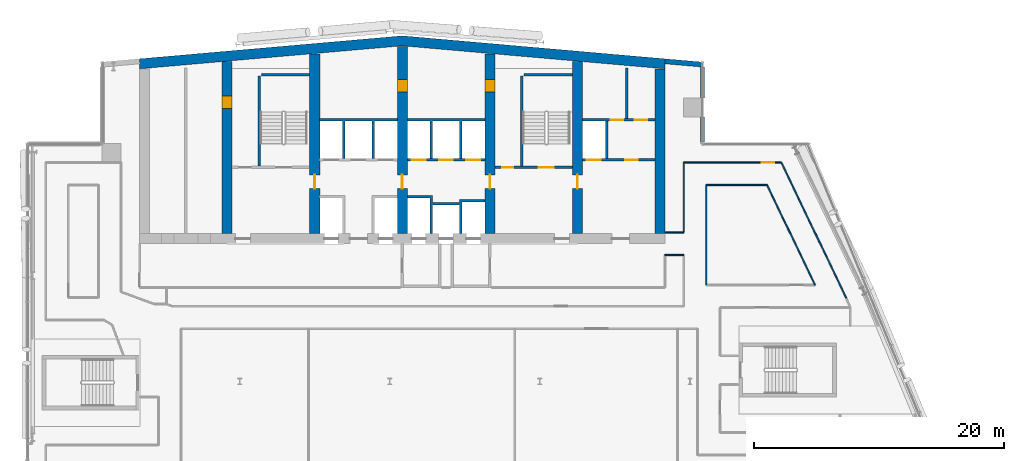
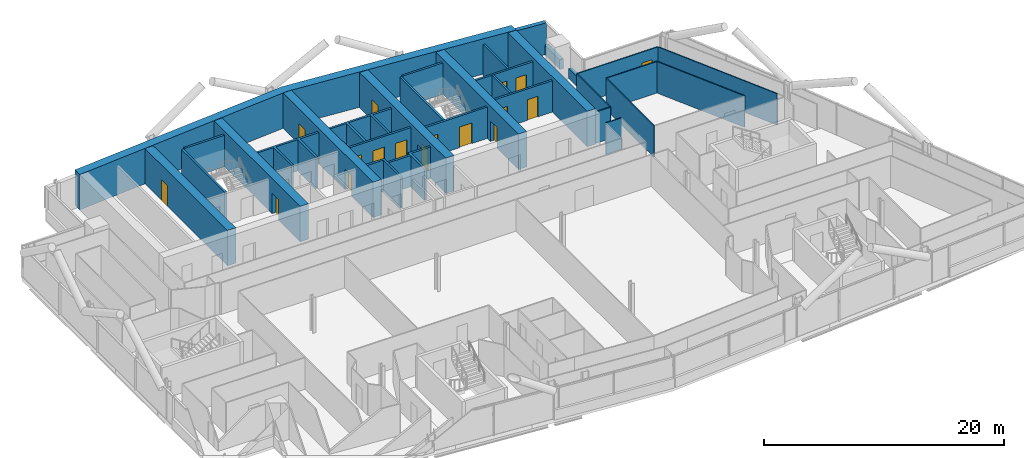
# One storey, part 19 of 27: 31 walls, 17 doors, 17 openings.
"""IFC4 building model written with IfcOpenShell, lengths in metres."""

from ifc_helpers import new_model, si_unit, direction, frame, frame_2d, origin, place, context, subcontext, project, spatial, polyline, rectangle, outline, extrude, material, layer, layer_set, type_object, element, fill, save


model = new_model("IFC4")

# Units and contexts
model_context = context("Model", 3, precision=1e-05, world=origin(), true_north=direction((0.0, 1.0)))
body_context = subcontext(model_context, "Body", "Model", "MODEL_VIEW")
ifc_project = project(units=[si_unit("LENGTHUNIT", "METRE"), si_unit("AREAUNIT", "SQUARE_METRE"), si_unit("VOLUMEUNIT", "CUBIC_METRE"), si_unit("PLANEANGLEUNIT", "RADIAN"), si_unit("MASSUNIT", "GRAM", prefix="KILO")], contexts=[model_context])

# Site, building, storey
site_placement = place(None, origin())
site = spatial("IfcSite", under=ifc_project, at=site_placement, CompositionType="ELEMENT")
building_placement = place(site_placement, origin())
building = spatial("IfcBuilding", under=site, at=building_placement, Name="Wharfspan Tower", CompositionType="ELEMENT")
storey_placement = place(building_placement, frame((0.0, 0.0, 191.5)))
storey = spatial("IfcBuildingStorey", under=building, at=storey_placement, Name="L47", CompositionType="ELEMENT", Elevation=191.5)

# Walls
ifc_material_1 = material(Name="Gypsum board on steel studs", Category="steel")
ifc_layer_1 = layer(ifc_material_1, 0.100098)
ifc_layer_set_1 = layer_set([ifc_layer_1], Name="Gypsum board on steel studs")
wall_type_1 = type_object("IfcWallType", Name="Compartment wall 100 EI 60", PredefinedType="PARTITIONING", material=ifc_layer_set_1)
wall_1_placement = place(storey_placement, frame((58.0, 33.100098, 0.0), z_axis=(0.0, 0.0, 1.0), x_axis=(1.0, 0.0, 0.0)))
element("IfcWall", 1, at=wall_1_placement, inside=storey, type_object=wall_type_1, Name="Partition L47.w077", PredefinedType="PARTITIONING", context=body_context, shape_type="SweptSolid", body=[
    extrude(rectangle(XDim=1.5, YDim=0.100098, at=frame_2d((0.75, 0.0))), origin(), (0.0, 0.0, 1.0), 3.199951),
])
wall_2_placement = place(storey_placement, frame((58.02002, 34.899902, 0.0), z_axis=(0.0, 0.0, 1.0), x_axis=(1.0, 0.0, 0.0)))
element("IfcWall", 2, at=wall_2_placement, inside=storey, type_object=wall_type_1, Name="Partition L47.w078", PredefinedType="PARTITIONING", context=body_context, shape_type="SweptSolid", body=[
    extrude(rectangle(XDim=1.47998, YDim=0.100098, at=frame_2d((0.73999, 0.0))), origin(), (0.0, 0.0, 1.0), 3.199951),
])
wall_3_placement = place(storey_placement, frame((59.5, 34.899902, 0.0), z_axis=(0.0, 0.0, 1.0), x_axis=(0.0, 1.0, 0.0)))
element("IfcWall", 3, at=wall_3_placement, inside=storey, type_object=wall_type_1, Name="Partition L47.w087", PredefinedType="PARTITIONING", context=body_context, shape_type="SweptSolid", body=[
    extrude(rectangle(XDim=5.600098, YDim=0.100098, at=frame_2d((2.800049, 0.0))), origin(), (0.0, 0.0, 1.0), 3.199951),
])

# Wall, opening, door
wall_4_placement = place(storey_placement, frame((59.5, 40.5, 0.0), z_axis=(0.0, 0.0, 1.0), x_axis=(1.0, 0.0, 0.0)))
wall_4 = element("IfcWall", 4, at=wall_4_placement, inside=storey, type_object=wall_type_1, Name="Partition L47.w088", PredefinedType="PARTITIONING", context=body_context, shape_type="SweptSolid", body=[
    extrude(rectangle(XDim=7.800049, YDim=0.100098, at=frame_2d((3.899902, 0.0))), origin(), (0.0, 0.0, 1.0), 3.199951),
])
opening_1_placement = place(wall_4_placement, frame((6.223389, 0.0, 0.0)))
opening_1 = element("IfcOpeningElement", 5, at=opening_1_placement, cuts=wall_4, Name="Opening C5-24", PredefinedType="OPENING", context=body_context, shape_type="SweptSolid", body=[
    extrude(rectangle(XDim=1.0, YDim=2.100098, at=frame_2d((0.5, 1.050049))), frame((0.0, 0.060059, 0.0), z_axis=(0.0, -1.0, 0.0), x_axis=(1.0, 0.0, 0.0)), (0.0, 0.0, 1.0), 0.120117),
])
ifc_material_2 = material(Name="Fire-rated timber door leaf in steel frame", Category="steel")
door_type_1 = type_object("IfcDoorType", Name="Door 1000 FD30S Right", OperationType="SINGLE_SWING_RIGHT", PredefinedType="DOOR", material=ifc_material_2)
door_1_placement = place(opening_1_placement, origin())
door_1 = element("IfcDoor", 6, at=door_1_placement, inside=storey, type_object=door_type_1, Name="Door C5-24", OperationType="SINGLE_SWING_RIGHT", OverallHeight=2.100098, OverallWidth=1.0, PredefinedType="DOOR", context=body_context, shape_type="SweptSolid", body=[
    extrude(rectangle(XDim=1.0, YDim=2.100098, at=frame_2d((0.5, 1.050049))), frame((0.0, 0.024902, 0.0), z_axis=(0.0, -1.0, 0.0), x_axis=(1.0, 0.0, 0.0)), (0.0, 0.0, 1.0), 0.050049),
])
fill(opening_1, door_1)

# Walls
wall_5_placement = place(storey_placement, frame((61.300049, 30.699951, 0.0), z_axis=(0.0, 0.0, 1.0), x_axis=(0.0, 1.0, 0.0)))
element("IfcWall", 7, at=wall_5_placement, inside=storey, type_object=wall_type_1, Name="Partition L47.w093", PredefinedType="PARTITIONING", context=body_context, shape_type="SweptSolid", body=[
    extrude(rectangle(XDim=8.0, YDim=0.100098, at=frame_2d((4.0, 0.0))), origin(), (0.0, 0.0, 1.0), 3.199951),
])
wall_6_placement = place(storey_placement, frame((61.300049, 38.699951, 0.0), z_axis=(0.0, 0.0, 1.0), x_axis=(1.0, 0.0, 0.0)))
element("IfcWall", 8, at=wall_6_placement, inside=storey, type_object=wall_type_1, Name="Partition L47.w095", PredefinedType="PARTITIONING", context=body_context, shape_type="SweptSolid", body=[
    extrude(rectangle(XDim=4.86499, YDim=0.100098, at=frame_2d((2.432617, 0.0))), origin(), (0.0, 0.0, 1.0), 3.199951),
])
wall_7_placement = place(storey_placement, frame((70.0, 30.699951, 0.0), z_axis=(0.0, 0.0, 1.0), x_axis=(-0.432271, 0.901748, 0.0)))
element("IfcWall", 9, at=wall_7_placement, inside=storey, type_object=wall_type_1, Name="Partition L47.w109", PredefinedType="PARTITIONING", context=body_context, shape_type="SweptSolid", body=[
    extrude(rectangle(XDim=8.871582, YDim=0.100098, at=frame_2d((4.435791, 0.0))), origin(), (0.0, 0.0, 1.0), 3.199951),
])
wall_8_placement = place(storey_placement, frame((72.514893, 29.620117, 0.0), z_axis=(0.0, 0.0, 1.0), x_axis=(-0.43171, 0.902012, 0.0)))
element("IfcWall", 10, at=wall_8_placement, inside=storey, type_object=wall_type_1, Name="Partition L47.w120", PredefinedType="PARTITIONING", context=body_context, shape_type="SweptSolid", body=[
    extrude(rectangle(XDim=12.00708, YDim=0.100098, at=frame_2d((6.003418, 0.0))), origin(), (0.0, 0.0, 1.0), 3.199951),
])
ifc_material_3 = material(Name="Calcium silicate masonry", Category="masonry")
ifc_layer_2 = layer(ifc_material_3, 0.199951)
ifc_layer_set_2 = layer_set([ifc_layer_2], Name="Calcium silicate masonry")
wall_type_2 = type_object("IfcWallType", Name="Core room wall 200", PredefinedType="PARTITIONING", material=ifc_layer_set_2)
wall_9_placement = place(storey_placement, frame((54.93335, 44.0, 0.0), z_axis=(0.0, 0.0, 1.0), x_axis=(0.0, 1.0, 0.0)))
element("IfcWall", 11, at=wall_9_placement, inside=storey, type_object=wall_type_2, Name="sw:L47:RP6.1", PredefinedType="PARTITIONING", context=body_context, shape_type="SweptSolid", body=[
    extrude(rectangle(XDim=4.03418, YDim=0.199951, at=frame_2d((2.01709, 0.0))), origin(), (0.0, 0.0, 1.0), 3.199951),
])
ifc_material_4 = material(Name="Concrete C60/75", Category="concrete")
ifc_layer_3 = layer(ifc_material_4, 0.800049)
ifc_layer_set_3 = layer_set([ifc_layer_3], Name="Concrete C60/75")
wall_type_3 = type_object("IfcWallType", Name="Core wall 800 C60/75", PredefinedType="SHEAR", material=ifc_layer_set_3)
wall_10_placement = place(storey_placement, origin())
element("IfcWall", 12, at=wall_10_placement, inside=storey, type_object=wall_type_3, Name="Core rear wall L47", PredefinedType="SHEAR", context=body_context, shape_type="SweptSolid", body=[
    extrude(outline(polyline([(16.0, 47.984375), (37.0, 49.821533), (58.0, 47.984375), (58.0, 48.787354), (37.0, 50.624756), (16.0, 48.787354), (16.0, 47.984375)])), origin(), (0.0, 0.0, 1.0), 3.600098),
])

# Wall, opening, door
wall_11_placement = place(storey_placement, frame((23.0, 34.800049, 0.0), z_axis=(0.0, 0.0, 1.0), x_axis=(0.0, 1.0, 0.0)))
wall_11 = element("IfcWall", 13, at=wall_11_placement, inside=storey, type_object=wall_type_3, Name="Core cross wall X2 L47", PredefinedType="SHEAR", context=body_context, shape_type="SweptSolid", body=[
    extrude(rectangle(XDim=13.761719, YDim=0.800049, at=frame_2d((6.880859, 0.0))), origin(), (0.0, 0.0, 1.0), 3.600098),
])
opening_2_placement = place(wall_11_placement, frame((10.0, 0.0, 0.0)))
opening_2 = element("IfcOpeningElement", 14, at=opening_2_placement, cuts=wall_11, Name="Opening CR47.2", PredefinedType="OPENING", context=body_context, shape_type="SweptSolid", body=[
    extrude(rectangle(XDim=1.0, YDim=2.100098, at=frame_2d((0.5, 1.050049))), frame((0.0, 0.409912, 0.0), z_axis=(0.0, -1.0, 0.0), x_axis=(1.0, 0.0, 0.0)), (0.0, 0.0, 1.0), 0.820068),
])
ifc_material_5 = material(Name="Steel door leaf", Category="steel")
door_type_2 = type_object("IfcDoorType", Name="Core room door 1000x2100", OperationType="SINGLE_SWING_LEFT", PredefinedType="DOOR", material=ifc_material_5)
door_2_placement = place(opening_2_placement, origin())
door_2 = element("IfcDoor", 15, at=door_2_placement, inside=storey, type_object=door_type_2, Name="xr:L47:2", OperationType="SINGLE_SWING_RIGHT", OverallHeight=2.100098, OverallWidth=1.0, PredefinedType="DOOR", context=body_context, shape_type="SweptSolid", body=[
    extrude(rectangle(XDim=1.0, YDim=2.100098, at=frame_2d((0.5, 1.050049))), frame((0.0, 0.399902, 0.0), z_axis=(0.0, -1.0, 0.0), x_axis=(1.0, 0.0, 0.0)), (0.0, 0.0, 1.0), 0.799561),
])
fill(opening_2, door_2)

wall_12_placement = place(storey_placement, frame((30.0, 34.800049, 0.0), z_axis=(0.0, 0.0, 1.0), x_axis=(0.0, 1.0, 0.0)))
wall_12 = element("IfcWall", 16, at=wall_12_placement, inside=storey, type_object=wall_type_3, Name="Core cross wall X3 L47", PredefinedType="SHEAR", context=body_context, shape_type="SweptSolid", body=[
    extrude(rectangle(XDim=14.374023, YDim=0.800049, at=frame_2d((7.187012, 0.0))), origin(), (0.0, 0.0, 1.0), 3.600098),
])
opening_3_placement = place(wall_12_placement, frame((3.600098, 0.0, 0.0)))
opening_3 = element("IfcOpeningElement", 17, at=opening_3_placement, cuts=wall_12, Name="Opening CC47.3", PredefinedType="OPENING", context=body_context, shape_type="SweptSolid", body=[
    extrude(rectangle(XDim=1.100098, YDim=2.100098, at=frame_2d((0.550049, 1.050049))), frame((0.0, 0.409912, 0.0), z_axis=(0.0, -1.0, 0.0), x_axis=(1.0, 0.0, 0.0)), (0.0, 0.0, 1.0), 0.820068),
])
door_type_3 = type_object("IfcDoorType", Name="Core corridor door 1100x2100", OperationType="SINGLE_SWING_LEFT", PredefinedType="DOOR", material=ifc_material_5)
door_3_placement = place(opening_3_placement, origin())
door_3 = element("IfcDoor", 18, at=door_3_placement, inside=storey, type_object=door_type_3, Name="xd:L47:3", OperationType="SINGLE_SWING_LEFT", OverallHeight=2.100098, OverallWidth=1.100098, PredefinedType="DOOR", context=body_context, shape_type="SweptSolid", body=[
    extrude(rectangle(XDim=1.100098, YDim=2.100098, at=frame_2d((0.550049, 1.050049))), frame((0.0, 0.024902, 0.0), z_axis=(0.0, -1.0, 0.0), x_axis=(1.0, 0.0, 0.0)), (0.0, 0.0, 1.0), 0.050049),
])
fill(opening_3, door_3)

# Wall, openings, doors
wall_13_placement = place(storey_placement, frame((37.0, 34.800049, 0.0), z_axis=(0.0, 0.0, 1.0), x_axis=(0.0, 1.0, 0.0)))
wall_13 = element("IfcWall", 19, at=wall_13_placement, inside=storey, type_object=wall_type_3, Name="Core cross wall X4 L47", PredefinedType="SHEAR", context=body_context, shape_type="SweptSolid", body=[
    extrude(rectangle(XDim=14.986572, YDim=0.800049, at=frame_2d((7.493164, 0.0))), origin(), (0.0, 0.0, 1.0), 3.600098),
])
opening_4_placement = place(wall_13_placement, frame((11.312012, 0.0, 0.0)))
opening_4 = element("IfcOpeningElement", 20, at=opening_4_placement, cuts=wall_13, Name="Opening CD47.3X", PredefinedType="OPENING", context=body_context, shape_type="SweptSolid", body=[
    extrude(rectangle(XDim=1.0, YDim=2.100098, at=frame_2d((0.5, 1.050049))), frame((0.0, 0.409912, 0.0), z_axis=(0.0, -1.0, 0.0), x_axis=(1.0, 0.0, 0.0)), (0.0, 0.0, 1.0), 0.820068),
])
opening_5_placement = place(wall_13_placement, frame((3.600098, 0.0, 0.0)))
opening_5 = element("IfcOpeningElement", 21, at=opening_5_placement, cuts=wall_13, Name="Opening CC47.4", PredefinedType="OPENING", context=body_context, shape_type="SweptSolid", body=[
    extrude(rectangle(XDim=1.100098, YDim=2.100098, at=frame_2d((0.550049, 1.050049))), frame((0.0, 0.409912, 0.0), z_axis=(0.0, -1.0, 0.0), x_axis=(1.0, 0.0, 0.0)), (0.0, 0.0, 1.0), 0.820068),
])
door_4_placement = place(opening_5_placement, origin())
door_4 = element("IfcDoor", 22, at=door_4_placement, inside=storey, type_object=door_type_3, Name="xd:L47:4", OperationType="SINGLE_SWING_RIGHT", OverallHeight=2.100098, OverallWidth=1.100098, PredefinedType="DOOR", context=body_context, shape_type="SweptSolid", body=[
    extrude(rectangle(XDim=1.100098, YDim=2.100098, at=frame_2d((0.550049, 1.050049))), frame((0.0, 0.024902, 0.0), z_axis=(0.0, -1.0, 0.0), x_axis=(1.0, 0.0, 0.0)), (0.0, 0.0, 1.0), 0.050049),
])
fill(opening_5, door_4)
door_5_placement = place(opening_4_placement, origin())
door_5 = element("IfcDoor", 23, at=door_5_placement, inside=storey, type_object=door_type_2, Name="d:L47:3:sx", OperationType="SINGLE_SWING_LEFT", OverallHeight=2.100098, OverallWidth=1.0, PredefinedType="DOOR", context=body_context, shape_type="SweptSolid", body=[
    extrude(rectangle(XDim=1.0, YDim=2.100098, at=frame_2d((0.5, 1.050049))), frame((0.0, 0.399902, 0.0), z_axis=(0.0, -1.0, 0.0), x_axis=(1.0, 0.0, 0.0)), (0.0, 0.0, 1.0), 0.799561),
])
fill(opening_4, door_5)

wall_14_placement = place(storey_placement, frame((44.0, 34.800049, 0.0), z_axis=(0.0, 0.0, 1.0), x_axis=(0.0, 1.0, 0.0)))
wall_14 = element("IfcWall", 24, at=wall_14_placement, inside=storey, type_object=wall_type_3, Name="Core cross wall X5 L47", PredefinedType="SHEAR", context=body_context, shape_type="SweptSolid", body=[
    extrude(rectangle(XDim=14.374023, YDim=0.800049, at=frame_2d((7.187012, 0.0))), origin(), (0.0, 0.0, 1.0), 3.600098),
])
opening_6_placement = place(wall_14_placement, frame((11.312012, 0.0, 0.0)))
opening_6 = element("IfcOpeningElement", 25, at=opening_6_placement, cuts=wall_14, Name="Opening CD47.4X", PredefinedType="OPENING", context=body_context, shape_type="SweptSolid", body=[
    extrude(rectangle(XDim=1.0, YDim=2.100098, at=frame_2d((0.5, 1.050049))), frame((0.0, 0.409912, 0.0), z_axis=(0.0, -1.0, 0.0), x_axis=(1.0, 0.0, 0.0)), (0.0, 0.0, 1.0), 0.820068),
])
opening_7_placement = place(wall_14_placement, frame((3.600098, 0.0, 0.0)))
opening_7 = element("IfcOpeningElement", 26, at=opening_7_placement, cuts=wall_14, Name="Opening CC47.5", PredefinedType="OPENING", context=body_context, shape_type="SweptSolid", body=[
    extrude(rectangle(XDim=1.100098, YDim=2.100098, at=frame_2d((0.550049, 1.050049))), frame((0.0, 0.409912, 0.0), z_axis=(0.0, -1.0, 0.0), x_axis=(1.0, 0.0, 0.0)), (0.0, 0.0, 1.0), 0.820068),
])
door_6_placement = place(opening_7_placement, origin())
door_6 = element("IfcDoor", 27, at=door_6_placement, inside=storey, type_object=door_type_3, Name="xd:L47:5", OperationType="SINGLE_SWING_LEFT", OverallHeight=2.100098, OverallWidth=1.100098, PredefinedType="DOOR", context=body_context, shape_type="SweptSolid", body=[
    extrude(rectangle(XDim=1.100098, YDim=2.100098, at=frame_2d((0.550049, 1.050049))), frame((0.0, 0.024902, 0.0), z_axis=(0.0, -1.0, 0.0), x_axis=(1.0, 0.0, 0.0)), (0.0, 0.0, 1.0), 0.050049),
])
fill(opening_7, door_6)
door_7_placement = place(opening_6_placement, origin())
door_7 = element("IfcDoor", 28, at=door_7_placement, inside=storey, type_object=door_type_2, Name="d:L47:4:sx", OperationType="SINGLE_SWING_LEFT", OverallHeight=2.100098, OverallWidth=1.0, PredefinedType="DOOR", context=body_context, shape_type="SweptSolid", body=[
    extrude(rectangle(XDim=1.0, YDim=2.100098, at=frame_2d((0.5, 1.050049))), frame((0.0, 0.399902, 0.0), z_axis=(0.0, -1.0, 0.0), x_axis=(1.0, 0.0, 0.0)), (0.0, 0.0, 1.0), 0.799561),
])
fill(opening_6, door_7)

# Wall, opening, door
wall_15_placement = place(storey_placement, frame((51.0, 34.800049, 0.0), z_axis=(0.0, 0.0, 1.0), x_axis=(0.0, 1.0, 0.0)))
wall_15 = element("IfcWall", 29, at=wall_15_placement, inside=storey, type_object=wall_type_3, Name="Core cross wall X6 L47", PredefinedType="SHEAR", context=body_context, shape_type="SweptSolid", body=[
    extrude(rectangle(XDim=13.761719, YDim=0.800049, at=frame_2d((6.880859, 0.0))), origin(), (0.0, 0.0, 1.0), 3.600098),
])
opening_8_placement = place(wall_15_placement, frame((3.600098, 0.0, 0.0)))
opening_8 = element("IfcOpeningElement", 30, at=opening_8_placement, cuts=wall_15, Name="Opening CC47.6", PredefinedType="OPENING", context=body_context, shape_type="SweptSolid", body=[
    extrude(rectangle(XDim=1.100098, YDim=2.100098, at=frame_2d((0.550049, 1.050049))), frame((0.0, 0.409912, 0.0), z_axis=(0.0, -1.0, 0.0), x_axis=(1.0, 0.0, 0.0)), (0.0, 0.0, 1.0), 0.820068),
])
door_8_placement = place(opening_8_placement, origin())
door_8 = element("IfcDoor", 31, at=door_8_placement, inside=storey, type_object=door_type_3, Name="xd:L47:6", OperationType="SINGLE_SWING_RIGHT", OverallHeight=2.100098, OverallWidth=1.100098, PredefinedType="DOOR", context=body_context, shape_type="SweptSolid", body=[
    extrude(rectangle(XDim=1.100098, YDim=2.100098, at=frame_2d((0.550049, 1.050049))), frame((0.0, 0.024902, 0.0), z_axis=(0.0, -1.0, 0.0), x_axis=(1.0, 0.0, 0.0)), (0.0, 0.0, 1.0), 0.050049),
])
fill(opening_8, door_8)

# Walls
wall_16_placement = place(storey_placement, frame((57.600098, 34.800049, 0.0), z_axis=(0.0, 0.0, 1.0), x_axis=(0.0, 1.0, 0.0)))
element("IfcWall", 32, at=wall_16_placement, inside=storey, type_object=wall_type_3, Name="Core cross wall EW1 L47", PredefinedType="SHEAR", context=body_context, shape_type="SweptSolid", body=[
    extrude(rectangle(XDim=13.184326, YDim=0.800049, at=frame_2d((6.592285, 0.0))), origin(), (0.0, 0.0, 1.0), 3.600098),
])
ifc_material_6 = material(Name="Concrete C30/37", Category="concrete")
ifc_layer_4 = layer(ifc_material_6, 0.199951)
ifc_layer_set_4 = layer_set([ifc_layer_4], Name="Concrete C30/37")
wall_type_4 = type_object("IfcWallType", Name="Lift shaft wall 200", PredefinedType="PARTITIONING", material=ifc_layer_set_4)
wall_17_placement = place(storey_placement, frame((0.0, 0.0, -0.000244)))
element("IfcWall", 33, at=wall_17_placement, inside=storey, type_object=wall_type_4, Name="sw:L47:RM3.0", PredefinedType="PARTITIONING", context=body_context, shape_type="SweptSolid", body=[
    extrude(outline(polyline([(32.43335, 40.800049), (32.233398, 40.800049), (32.233398, 43.800049), (30.399902, 43.800049), (30.399902, 44.0), (36.600098, 44.0), (36.600098, 43.800049), (34.766602, 43.800049), (34.766602, 40.800049), (34.56665, 40.800049), (34.56665, 43.800049), (32.43335, 43.800049), (32.43335, 40.800049)])), origin(), (0.0, 0.0, 1.0), 3.200195),
])

# Wall, openings, doors
wall_18_placement = place(storey_placement, frame((37.399902, 40.699951, 0.0), z_axis=(0.0, 0.0, 1.0), x_axis=(1.0, 0.0, 0.0)))
wall_18 = element("IfcWall", 34, at=wall_18_placement, inside=storey, type_object=wall_type_4, Name="sw:L47:RF4", PredefinedType="PARTITIONING", context=body_context, shape_type="SweptSolid", body=[
    extrude(rectangle(XDim=6.200195, YDim=0.199951, at=frame_2d((3.100098, 0.0))), origin(), (0.0, 0.0, 1.0), 3.199951),
])
opening_9_placement = place(wall_18_placement, frame((0.366699, 0.0, 0.0)))
opening_9 = element("IfcOpeningElement", 35, at=opening_9_placement, cuts=wall_18, Name="Opening LD.LB4.L47", PredefinedType="OPENING", context=body_context, shape_type="SweptSolid", body=[
    extrude(rectangle(XDim=1.100098, YDim=2.100098, at=frame_2d((0.550049, 1.050049))), frame((0.0, 0.109863, 0.0), z_axis=(0.0, -1.0, 0.0), x_axis=(1.0, 0.0, 0.0)), (0.0, 0.0, 1.0), 0.219971),
])
opening_10_placement = place(wall_18_placement, frame((2.550049, 0.0, 0.0)))
opening_10 = element("IfcOpeningElement", 36, at=opening_10_placement, cuts=wall_18, Name="Opening LD.LB5.L47", PredefinedType="OPENING", context=body_context, shape_type="SweptSolid", body=[
    extrude(rectangle(XDim=1.100098, YDim=2.100098, at=frame_2d((0.550049, 1.050049))), frame((0.0, 0.109863, 0.0), z_axis=(0.0, -1.0, 0.0), x_axis=(1.0, 0.0, 0.0)), (0.0, 0.0, 1.0), 0.219971),
])
opening_11_placement = place(wall_18_placement, frame((4.733398, 0.0, 0.0)))
opening_11 = element("IfcOpeningElement", 37, at=opening_11_placement, cuts=wall_18, Name="Opening LD.LB6.L47", PredefinedType="OPENING", context=body_context, shape_type="SweptSolid", body=[
    extrude(rectangle(XDim=1.100098, YDim=2.100098, at=frame_2d((0.550049, 1.050049))), frame((0.0, 0.109863, 0.0), z_axis=(0.0, -1.0, 0.0), x_axis=(1.0, 0.0, 0.0)), (0.0, 0.0, 1.0), 0.219971),
])
ifc_material_7 = material(Name="Stainless steel", Category="steel")
door_type_4 = type_object("IfcDoorType", Name="Lift landing door 1100x2100", OperationType="DOUBLE_DOOR_SLIDING", PredefinedType="DOOR", material=ifc_material_7)
door_9_placement = place(opening_9_placement, origin())
door_9 = element("IfcDoor", 38, at=door_9_placement, inside=storey, type_object=door_type_4, Name="Landing door LB4 L47", OperationType="DOUBLE_DOOR_SLIDING", OverallHeight=2.100098, OverallWidth=1.100098, PredefinedType="DOOR", context=body_context, shape_type="SweptSolid", body=[
    extrude(rectangle(XDim=1.100098, YDim=2.100098, at=frame_2d((0.550049, 1.050049))), frame((0.0, 0.024902, 0.0), z_axis=(0.0, -1.0, 0.0), x_axis=(1.0, 0.0, 0.0)), (0.0, 0.0, 1.0), 0.050049),
])
fill(opening_9, door_9)
door_10_placement = place(opening_10_placement, origin())
door_10 = element("IfcDoor", 39, at=door_10_placement, inside=storey, type_object=door_type_4, Name="Landing door LB5 L47", OperationType="DOUBLE_DOOR_SLIDING", OverallHeight=2.100098, OverallWidth=1.100098, PredefinedType="DOOR", context=body_context, shape_type="SweptSolid", body=[
    extrude(rectangle(XDim=1.100098, YDim=2.100098, at=frame_2d((0.550049, 1.050049))), frame((0.0, 0.024902, 0.0), z_axis=(0.0, -1.0, 0.0), x_axis=(1.0, 0.0, 0.0)), (0.0, 0.0, 1.0), 0.050049),
])
fill(opening_10, door_10)
door_11_placement = place(opening_11_placement, origin())
door_11 = element("IfcDoor", 40, at=door_11_placement, inside=storey, type_object=door_type_4, Name="Landing door LB6 L47", OperationType="DOUBLE_DOOR_SLIDING", OverallHeight=2.100098, OverallWidth=1.100098, PredefinedType="DOOR", context=body_context, shape_type="SweptSolid", body=[
    extrude(rectangle(XDim=1.100098, YDim=2.100098, at=frame_2d((0.550049, 1.050049))), frame((0.0, 0.024902, 0.0), z_axis=(0.0, -1.0, 0.0), x_axis=(1.0, 0.0, 0.0)), (0.0, 0.0, 1.0), 0.050049),
])
fill(opening_11, door_11)

# Walls
wall_19_placement = place(storey_placement, frame((0.0, 0.0, -0.000244)))
element("IfcWall", 41, at=wall_19_placement, inside=storey, type_object=wall_type_4, Name="sw:L47:FM4.0", PredefinedType="PARTITIONING", context=body_context, shape_type="SweptSolid", body=[
    extrude(outline(polyline([(41.56665, 37.100098), (39.43335, 37.100098), (39.43335, 34.800049), (39.233398, 34.800049), (39.233398, 37.649902), (37.399902, 37.649902), (37.399902, 37.850098), (39.233398, 37.850098), (39.43335, 37.850098), (39.43335, 37.300049), (41.56665, 37.300049), (41.56665, 37.550049), (41.766602, 37.550049), (43.600098, 37.550049), (43.600098, 37.350098), (41.766602, 37.350098), (41.766602, 34.800049), (41.56665, 34.800049), (41.56665, 37.100098)])), origin(), (0.0, 0.0, 1.0), 3.200195),
])
wall_20_placement = place(storey_placement, frame((0.0, 0.0, -0.000244)))
element("IfcWall", 42, at=wall_20_placement, inside=storey, type_object=wall_type_4, Name="sw:L47:RM4.0", PredefinedType="PARTITIONING", context=body_context, shape_type="SweptSolid", body=[
    extrude(outline(polyline([(39.43335, 40.800049), (39.233398, 40.800049), (39.233398, 43.800049), (37.399902, 43.800049), (37.399902, 44.0), (43.600098, 44.0), (43.600098, 43.800049), (41.766602, 43.800049), (41.766602, 40.800049), (41.56665, 40.800049), (41.56665, 43.800049), (39.43335, 43.800049), (39.43335, 40.800049)])), origin(), (0.0, 0.0, 1.0), 3.200195),
])

# Wall, openings, doors
wall_21_placement = place(storey_placement, frame((51.399902, 40.699951, 0.0), z_axis=(0.0, 0.0, 1.0), x_axis=(1.0, 0.0, 0.0)))
wall_21 = element("IfcWall", 43, at=wall_21_placement, inside=storey, type_object=wall_type_4, Name="sw:L47:RF6", PredefinedType="PARTITIONING", context=body_context, shape_type="SweptSolid", body=[
    extrude(rectangle(XDim=5.800049, YDim=0.199951, at=frame_2d((2.899902, 0.0))), origin(), (0.0, 0.0, 1.0), 3.199951),
])
opening_12_placement = place(wall_21_placement, frame((0.366699, 0.0, 0.0)))
opening_12 = element("IfcOpeningElement", 44, at=opening_12_placement, cuts=wall_21, Name="Opening LD.LB8.L47", PredefinedType="OPENING", context=body_context, shape_type="SweptSolid", body=[
    extrude(rectangle(XDim=1.100098, YDim=2.100098, at=frame_2d((0.550049, 1.050049))), frame((0.0, 0.109863, 0.0), z_axis=(0.0, -1.0, 0.0), x_axis=(1.0, 0.0, 0.0)), (0.0, 0.0, 1.0), 0.219971),
])
opening_13_placement = place(wall_21_placement, frame((3.416748, 0.0, 0.0)))
opening_13 = element("IfcOpeningElement", 45, at=opening_13_placement, cuts=wall_21, Name="Opening CD47.6R2", PredefinedType="OPENING", context=body_context, shape_type="SweptSolid", body=[
    extrude(rectangle(XDim=1.0, YDim=2.100098, at=frame_2d((0.5, 1.050049))), frame((0.0, 0.109863, 0.0), z_axis=(0.0, -1.0, 0.0), x_axis=(1.0, 0.0, 0.0)), (0.0, 0.0, 1.0), 0.219971),
])
door_12_placement = place(opening_13_placement, origin())
door_12 = element("IfcDoor", 46, at=door_12_placement, inside=storey, type_object=door_type_2, Name="d:L47:6:rd6.2", OperationType="SINGLE_SWING_RIGHT", OverallHeight=2.100098, OverallWidth=1.0, PredefinedType="DOOR", context=body_context, shape_type="SweptSolid", body=[
    extrude(rectangle(XDim=1.0, YDim=2.100098, at=frame_2d((0.5, 1.050049))), frame((0.0, 0.024902, 0.0), z_axis=(0.0, -1.0, 0.0), x_axis=(1.0, 0.0, 0.0)), (0.0, 0.0, 1.0), 0.050049),
])
fill(opening_13, door_12)
door_13_placement = place(opening_12_placement, origin())
door_13 = element("IfcDoor", 47, at=door_13_placement, inside=storey, type_object=door_type_4, Name="Landing door LB8 L47", OperationType="DOUBLE_DOOR_SLIDING", OverallHeight=2.100098, OverallWidth=1.100098, PredefinedType="DOOR", context=body_context, shape_type="SweptSolid", body=[
    extrude(rectangle(XDim=1.100098, YDim=2.100098, at=frame_2d((0.550049, 1.050049))), frame((0.0, 0.024902, 0.0), z_axis=(0.0, -1.0, 0.0), x_axis=(1.0, 0.0, 0.0)), (0.0, 0.0, 1.0), 0.050049),
])
fill(opening_12, door_13)

wall_22_placement = place(storey_placement, frame((51.399902, 43.899902, 0.0), z_axis=(0.0, 0.0, 1.0), x_axis=(1.0, 0.0, 0.0)))
wall_22 = element("IfcWall", 48, at=wall_22_placement, inside=storey, type_object=wall_type_4, Name="sw:L47:RR6", PredefinedType="PARTITIONING", context=body_context, shape_type="SweptSolid", body=[
    extrude(rectangle(XDim=5.800049, YDim=0.199951, at=frame_2d((2.899902, 0.0))), origin(), (0.0, 0.0, 1.0), 3.199951),
])
opening_14_placement = place(wall_22_placement, frame((2.283203, 0.0, 0.0)))
opening_14 = element("IfcOpeningElement", 49, at=opening_14_placement, cuts=wall_22, Name="Opening CD47.6S2", PredefinedType="OPENING", context=body_context, shape_type="SweptSolid", body=[
    extrude(rectangle(XDim=1.0, YDim=2.100098, at=frame_2d((0.5, 1.050049))), frame((0.0, 0.109863, 0.0), z_axis=(0.0, -1.0, 0.0), x_axis=(1.0, 0.0, 0.0)), (0.0, 0.0, 1.0), 0.219971),
])
opening_15_placement = place(wall_22_placement, frame((4.166748, 0.0, 0.0)))
opening_15 = element("IfcOpeningElement", 50, at=opening_15_placement, cuts=wall_22, Name="Opening CD47.6S2a", PredefinedType="OPENING", context=body_context, shape_type="SweptSolid", body=[
    extrude(rectangle(XDim=1.0, YDim=2.100098, at=frame_2d((0.5, 1.050049))), frame((0.0, 0.109863, 0.0), z_axis=(0.0, -1.0, 0.0), x_axis=(1.0, 0.0, 0.0)), (0.0, 0.0, 1.0), 0.219971),
])
door_14_placement = place(opening_14_placement, origin())
door_14 = element("IfcDoor", 51, at=door_14_placement, inside=storey, type_object=door_type_2, Name="d:L47:6:rs6.2", OperationType="SINGLE_SWING_LEFT", OverallHeight=2.100098, OverallWidth=1.0, PredefinedType="DOOR", context=body_context, shape_type="SweptSolid", body=[
    extrude(rectangle(XDim=1.0, YDim=2.100098, at=frame_2d((0.5, 1.050049))), frame((0.0, 0.024902, 0.0), z_axis=(0.0, -1.0, 0.0), x_axis=(1.0, 0.0, 0.0)), (0.0, 0.0, 1.0), 0.050049),
])
fill(opening_14, door_14)
door_15_placement = place(opening_15_placement, origin())
door_15 = element("IfcDoor", 52, at=door_15_placement, inside=storey, type_object=door_type_2, Name="d:L47:6:rs6.2a", OperationType="SINGLE_SWING_LEFT", OverallHeight=2.100098, OverallWidth=1.0, PredefinedType="DOOR", context=body_context, shape_type="SweptSolid", body=[
    extrude(rectangle(XDim=1.0, YDim=2.100098, at=frame_2d((0.5, 1.050049))), frame((0.0, 0.024902, 0.0), z_axis=(0.0, -1.0, 0.0), x_axis=(1.0, 0.0, 0.0)), (0.0, 0.0, 1.0), 0.050049),
])
fill(opening_15, door_15)

# Walls
wall_23_placement = place(storey_placement, frame((0.0, 0.0, -0.000244)))
element("IfcWall", 53, at=wall_23_placement, inside=storey, type_object=wall_type_4, Name="sw:L47:RM6.0", PredefinedType="PARTITIONING", context=body_context, shape_type="SweptSolid", body=[
    extrude(outline(polyline([(53.43335, 40.800049), (53.43335, 43.800049), (53.233398, 43.800049), (53.233398, 40.800049), (53.43335, 40.800049)])), origin(), (0.0, 0.0, 1.0), 3.200195),
])
ifc_material_8 = material(Name="Concrete C40/50", Category="concrete")
ifc_layer_5 = layer(ifc_material_8, 0.350098)
ifc_layer_set_5 = layer_set([ifc_layer_5], Name="Concrete C40/50")
wall_type_5 = type_object("IfcWallType", Name="SPANDREL EXPOSED CONCRETE 350", PredefinedType="SOLIDWALL", material=ifc_layer_set_5)
wall_24_placement = place(storey_placement, frame((61.004883, 42.120117, 0.0), z_axis=(0.0, 0.0, 1.0), x_axis=(0.0, 1.0, 0.0)))
element("IfcWall", 54, at=wall_24_placement, inside=storey, type_object=wall_type_5, Name="Spandrel upstand L47 NRE-V", PredefinedType="SOLIDWALL", context=body_context, shape_type="SweptSolid", body=[
    extrude(rectangle(XDim=2.029785, YDim=0.350098, at=frame_2d((1.014893, 0.0))), origin(), (0.0, 0.0, 1.0), 1.0),
])
wall_25_placement = place(storey_placement, frame((61.004883, 45.649902, 0.0), z_axis=(0.0, 0.0, 1.0), x_axis=(0.0, 1.0, 0.0)))
element("IfcWall", 55, at=wall_25_placement, inside=storey, type_object=wall_type_5, Name="Spandrel upstand L47 NRE-V 2", PredefinedType="SOLIDWALL", context=body_context, shape_type="SweptSolid", body=[
    extrude(rectangle(XDim=2.476562, YDim=0.350098, at=frame_2d((1.238281, 0.0))), origin(), (0.0, 0.0, 1.0), 1.0),
])
ifc_layer_6 = layer(ifc_material_8, 0.199951)
ifc_layer_set_6 = layer_set([ifc_layer_6], Name="Concrete C40/50")
wall_type_6 = type_object("IfcWallType", Name="Stair shaft wall 200", PredefinedType="SHEAR", material=ifc_layer_set_6)
wall_26_placement = place(storey_placement, frame((25.550049, 40.199951, 0.0), z_axis=(0.0, 0.0, 1.0), x_axis=(0.0, 1.0, 0.0)))
element("IfcWall", 56, at=wall_26_placement, inside=storey, type_object=wall_type_6, Name="ST1 stair enclosure wall L47", PredefinedType="SHEAR", context=body_context, shape_type="SweptSolid", body=[
    extrude(rectangle(XDim=7.199951, YDim=0.199951, at=frame_2d((3.600098, 0.0))), origin(), (0.0, 0.0, 1.0), 3.199951),
])
wall_27_placement = place(storey_placement, frame((25.75, 47.5, 0.0), z_axis=(0.0, 0.0, 1.0), x_axis=(1.0, 0.0, 0.0)))
element("IfcWall", 57, at=wall_27_placement, inside=storey, type_object=wall_type_6, Name="ST1 stair enclosure wall L47", PredefinedType="SHEAR", context=body_context, shape_type="SweptSolid", body=[
    extrude(rectangle(XDim=3.850098, YDim=0.199951, at=frame_2d((1.925049, 0.0))), origin(), (0.0, 0.0, 1.0), 3.199951),
])

# Wall, openings, doors
wall_28_placement = place(storey_placement, frame((44.399902, 40.100098, 0.0), z_axis=(0.0, 0.0, 1.0), x_axis=(1.0, 0.0, 0.0)))
wall_28 = element("IfcWall", 58, at=wall_28_placement, inside=storey, type_object=wall_type_6, Name="ST2 stair enclosure wall L47", PredefinedType="SHEAR", context=body_context, shape_type="SweptSolid", body=[
    extrude(rectangle(XDim=6.200195, YDim=0.199951, at=frame_2d((3.100098, 0.0))), origin(), (0.0, 0.0, 1.0), 3.199951),
])
opening_16_placement = place(wall_28_placement, frame((3.524902, 0.0, 0.0)))
opening_16 = element("IfcOpeningElement", 59, at=opening_16_placement, cuts=wall_28, Name="Opening SD5.L47", PredefinedType="OPENING", context=body_context, shape_type="SweptSolid", body=[
    extrude(rectangle(XDim=1.199951, YDim=2.100098, at=frame_2d((0.600098, 1.050049))), frame((0.0, 0.109863, 0.0), z_axis=(0.0, -1.0, 0.0), x_axis=(1.0, 0.0, 0.0)), (0.0, 0.0, 1.0), 0.219971),
])
opening_17_placement = place(wall_28_placement, frame((0.574951, 0.0, 0.0)))
opening_17 = element("IfcOpeningElement", 60, at=opening_17_placement, cuts=wall_28, Name="Opening CD47.5R", PredefinedType="OPENING", context=body_context, shape_type="SweptSolid", body=[
    extrude(rectangle(XDim=0.899902, YDim=2.100098, at=frame_2d((0.449951, 1.050049))), frame((0.0, 0.109863, 0.0), z_axis=(0.0, -1.0, 0.0), x_axis=(1.0, 0.0, 0.0)), (0.0, 0.0, 1.0), 0.219971),
])
door_16_placement = place(opening_17_placement, origin())
door_16 = element("IfcDoor", 61, at=door_16_placement, inside=storey, type_object=door_type_2, Name="rk:L47:5", OperationType="SINGLE_SWING_LEFT", OverallHeight=2.100098, OverallWidth=0.899902, PredefinedType="DOOR", context=body_context, shape_type="SweptSolid", body=[
    extrude(rectangle(XDim=0.899902, YDim=2.100098, at=frame_2d((0.449951, 1.050049))), frame((0.0, 0.024902, 0.0), z_axis=(0.0, -1.0, 0.0), x_axis=(1.0, 0.0, 0.0)), (0.0, 0.0, 1.0), 0.050049),
])
fill(opening_17, door_16)
door_type_5 = type_object("IfcDoorType", Name="Stair door 1200x2100", OperationType="SINGLE_SWING_LEFT", PredefinedType="DOOR", material=ifc_material_5)
door_17_placement = place(opening_16_placement, origin())
door_17 = element("IfcDoor", 62, at=door_17_placement, inside=storey, type_object=door_type_5, Name="sd:L47:5", OperationType="SINGLE_SWING_RIGHT", OverallHeight=2.100098, OverallWidth=1.199951, PredefinedType="DOOR", context=body_context, shape_type="SweptSolid", body=[
    extrude(rectangle(XDim=1.199951, YDim=2.100098, at=frame_2d((0.600098, 1.050049))), frame((0.0, 0.024902, 0.0), z_axis=(0.0, -1.0, 0.0), x_axis=(1.0, 0.0, 0.0)), (0.0, 0.0, 1.0), 0.050049),
])
fill(opening_16, door_17)

# Walls
wall_29_placement = place(storey_placement, frame((46.550049, 40.199951, 0.0), z_axis=(0.0, 0.0, 1.0), x_axis=(0.0, 1.0, 0.0)))
element("IfcWall", 63, at=wall_29_placement, inside=storey, type_object=wall_type_6, Name="ST2 stair enclosure wall L47", PredefinedType="SHEAR", context=body_context, shape_type="SweptSolid", body=[
    extrude(rectangle(XDim=7.199951, YDim=0.199951, at=frame_2d((3.600098, 0.0))), origin(), (0.0, 0.0, 1.0), 3.199951),
])
wall_30_placement = place(storey_placement, frame((46.75, 47.5, 0.0), z_axis=(0.0, 0.0, 1.0), x_axis=(1.0, 0.0, 0.0)))
element("IfcWall", 64, at=wall_30_placement, inside=storey, type_object=wall_type_6, Name="ST2 stair enclosure wall L47", PredefinedType="SHEAR", context=body_context, shape_type="SweptSolid", body=[
    extrude(rectangle(XDim=3.850098, YDim=0.199951, at=frame_2d((1.925049, 0.0))), origin(), (0.0, 0.0, 1.0), 3.199951),
])
ifc_layer_7 = layer(ifc_material_8, 0.399902)
ifc_layer_set_7 = layer_set([ifc_layer_7], Name="Concrete C40/50")
wall_type_7 = type_object("IfcWallType", Name="WALL EXPOSED CONCRETE 400", PredefinedType="SOLIDWALL", material=ifc_layer_set_7)
wall_31_placement = place(storey_placement, frame((60.982666, 48.325684, 0.0), z_axis=(0.0, 0.0, 1.0), x_axis=(-0.996194, 0.087168, 0.0)))
element("IfcWall", 65, at=wall_31_placement, inside=storey, type_object=wall_type_7, Name="Rear wall N2", PredefinedType="SOLIDWALL", context=body_context, shape_type="SweptSolid", body=[
    extrude(rectangle(XDim=2.994141, YDim=0.399902, at=frame_2d((1.49707, 0.0))), origin(), (0.0, 0.0, 1.0), 3.199951),
])

save(model, "model.ifc")
